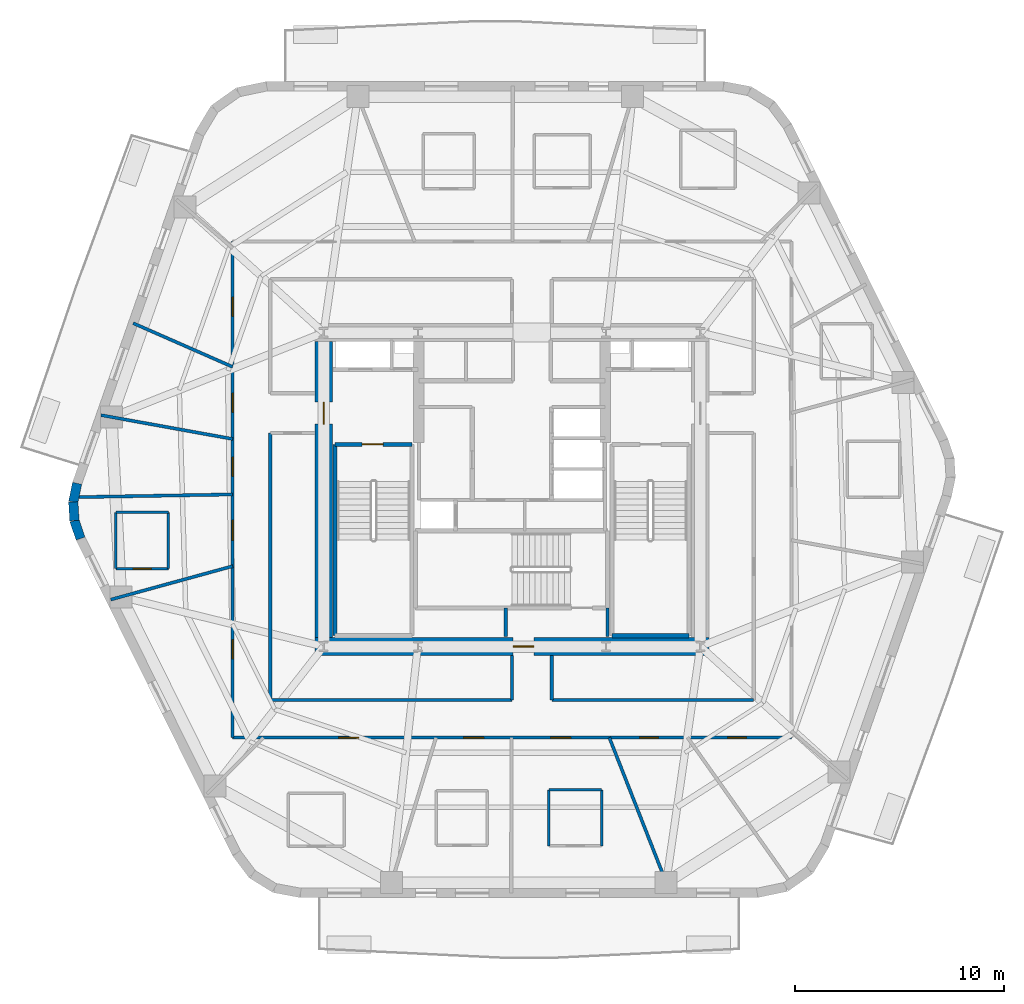
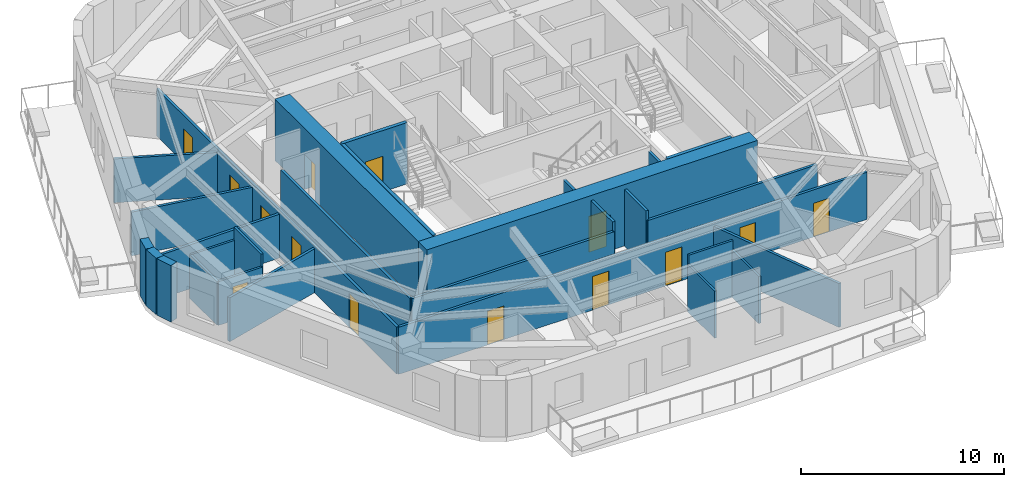
# One storey, part 3 of 11: 29 walls, 14 doors, 14 openings.
"""IFC4 building model written with IfcOpenShell, lengths in metres."""

from ifc_helpers import new_model, si_unit, direction, frame, frame_2d, origin, place, context, subcontext, project, spatial, rectangle, extrude, material, layer, layer_set, type_object, element, fill, save


model = new_model("IFC4")

# Units and contexts
model_context = context("Model", 3, precision=1e-05, world=origin(), true_north=direction((0.0, 1.0)))
body_context = subcontext(model_context, "Body", "Model", "MODEL_VIEW")
ifc_project = project(units=[si_unit("LENGTHUNIT", "METRE"), si_unit("AREAUNIT", "SQUARE_METRE"), si_unit("VOLUMEUNIT", "CUBIC_METRE"), si_unit("PLANEANGLEUNIT", "RADIAN"), si_unit("MASSUNIT", "GRAM", prefix="KILO")], contexts=[model_context])

# Site, building, storey
site_placement = place(None, origin())
site = spatial("IfcSite", under=ifc_project, at=site_placement, CompositionType="ELEMENT")
building_placement = place(site_placement, origin())
building = spatial("IfcBuilding", under=site, at=building_placement, Name="Kilnhurst Terrace Hotel", CompositionType="ELEMENT")
storey_placement = place(building_placement, frame((0.0, 0.0, 162.800048828125)))
storey = spatial("IfcBuildingStorey", under=building, at=storey_placement, Name="L40", CompositionType="ELEMENT", Elevation=162.800048828125)

# Walls
ifc_material_1 = material(Name="Precast concrete C40/50", Category="concrete")
ifc_layer_1 = layer(ifc_material_1, 0.449951171875, Name="Precast concrete C40/50")
ifc_layer_set_1 = layer_set([ifc_layer_1], Name="Precast concrete C40/50")
wall_type_1 = type_object("IfcWallType", Name="WL-BRK-450", PredefinedType="SOLIDWALL", material=ifc_layer_set_1)
wall_1_placement = place(storey_placement, frame((-20.78173828125, 0.298095703125, 0.0), z_axis=(0.0, 0.0, 1.0), x_axis=(-0.202570068411, -0.979267771033, 0.0)))
element("IfcWall", 1, at=wall_1_placement, inside=storey, type_object=wall_type_1, Name="L40 Rounded Corner Brick Wall C6.1", PredefinedType="SOLIDWALL", context=body_context, shape_type="SweptSolid", body=[
    extrude(rectangle(XDim=0.90869140625, YDim=0.449951171875, at=frame_2d((0.454345703125, 0.0))), origin(), (0.0, 0.0, 1.0), 3.39990234375),
])
wall_2_placement = place(storey_placement, frame((-20.9658203125, -0.591796875, 0.0), z_axis=(0.0, 0.0, 1.0), x_axis=(0.061748898935, -0.998091715966, 0.0)))
element("IfcWall", 2, at=wall_2_placement, inside=storey, type_object=wall_type_1, Name="L40 Rounded Corner Brick Wall C6.2", PredefinedType="SOLIDWALL", context=body_context, shape_type="SweptSolid", body=[
    extrude(rectangle(XDim=0.8935546875, YDim=0.449951171875, at=frame_2d((0.44677734375, 0.0))), origin(), (0.0, 0.0, 1.0), 3.39990234375),
])
wall_3_placement = place(storey_placement, frame((-20.91064453125, -1.483642578125, 0.0), z_axis=(0.0, 0.0, 1.0), x_axis=(0.321623334353, -0.946867694453, 0.0)))
element("IfcWall", 3, at=wall_3_placement, inside=storey, type_object=wall_type_1, Name="L40 Rounded Corner Brick Wall C6.3", PredefinedType="SOLIDWALL", context=body_context, shape_type="SweptSolid", body=[
    extrude(rectangle(XDim=0.90869140625, YDim=0.449951171875, at=frame_2d((0.454345703125, 0.0))), origin(), (0.0, 0.0, 1.0), 3.39990234375),
])

# Wall, openings, doors
ifc_material_2 = material(Name="Acoustic Double-Gypsum Corridor Partition Assembly")
ifc_layer_2 = layer(ifc_material_2, 0.14990234375, Name="Acoustic Double-Gypsum Corridor Partition Assembly")
ifc_layer_set_2 = layer_set([ifc_layer_2], Name="Acoustic Double-Gypsum Corridor Partition Assembly")
wall_type_2 = type_object("IfcWallType", Name="WL-COR-150", PredefinedType="PARTITIONING", material=ifc_layer_set_2)
wall_4_placement = place(storey_placement, frame((13.35009765625, -11.85009765625, 0.0), z_axis=(0.0, 0.0, 1.0), x_axis=(-1.0, 0.0, 0.0)))
wall_4 = element("IfcWall", 4, at=wall_4_placement, inside=storey, type_object=wall_type_2, Name="L40 Interior Wall WL-L40-COR-01", PredefinedType="PARTITIONING", context=body_context, shape_type="SweptSolid", body=[
    extrude(rectangle(XDim=26.7001953125, YDim=0.14990234375, at=frame_2d((13.35009765625, 0.0))), origin(), (0.0, 0.0, 1.0), 2.83984375),
])
opening_1_placement = place(wall_4_placement, frame((20.681884765625, 0.0, 0.0)))
opening_1 = element("IfcOpeningElement", 5, at=opening_1_placement, cuts=wall_4, Name="Opening D-60B", PredefinedType="OPENING", context=body_context, shape_type="SweptSolid", body=[
    extrude(rectangle(XDim=0.949951171875, YDim=2.030029296875, at=frame_2d((0.47509765625, 1.01513671875))), frame((0.0, 0.0849609375, 0.0), z_axis=(0.0, -1.0, 0.0), x_axis=(1.0, 0.0, 0.0)), (0.0, 0.0, 1.0), 0.169921875),
])
opening_2_placement = place(wall_4_placement, frame((14.7080078125, 0.0, 0.0)))
opening_2 = element("IfcOpeningElement", 6, at=opening_2_placement, cuts=wall_4, Name="Opening D-60B", PredefinedType="OPENING", context=body_context, shape_type="SweptSolid", body=[
    extrude(rectangle(XDim=0.949951171875, YDim=2.030029296875, at=frame_2d((0.47509765625, 1.01513671875))), frame((0.0, 0.0849609375, 0.0), z_axis=(0.0, -1.0, 0.0), x_axis=(1.0, 0.0, 0.0)), (0.0, 0.0, 1.0), 0.169921875),
])
opening_3_placement = place(wall_4_placement, frame((10.552978515625, 0.0, 0.0)))
opening_3 = element("IfcOpeningElement", 7, at=opening_3_placement, cuts=wall_4, Name="Opening D-60B", PredefinedType="OPENING", context=body_context, shape_type="SweptSolid", body=[
    extrude(rectangle(XDim=0.949951171875, YDim=2.030029296875, at=frame_2d((0.47509765625, 1.01513671875))), frame((0.0, 0.0849609375, 0.0), z_axis=(0.0, -1.0, 0.0), x_axis=(1.0, 0.0, 0.0)), (0.0, 0.0, 1.0), 0.169921875),
])
opening_4_placement = place(wall_4_placement, frame((6.35302734375, 0.0, 0.0)))
opening_4 = element("IfcOpeningElement", 8, at=opening_4_placement, cuts=wall_4, Name="Opening D-60C", PredefinedType="OPENING", context=body_context, shape_type="SweptSolid", body=[
    extrude(rectangle(XDim=0.89990234375, YDim=2.030029296875, at=frame_2d((0.449951171875, 1.01513671875))), frame((0.0, 0.0849609375, 0.0), z_axis=(0.0, -1.0, 0.0), x_axis=(1.0, 0.0, 0.0)), (0.0, 0.0, 1.0), 0.169921875),
])
opening_5_placement = place(wall_4_placement, frame((2.14990234375, 0.0, 0.0)))
opening_5 = element("IfcOpeningElement", 9, at=opening_5_placement, cuts=wall_4, Name="Opening D-60C", PredefinedType="OPENING", context=body_context, shape_type="SweptSolid", body=[
    extrude(rectangle(XDim=0.89990234375, YDim=2.030029296875, at=frame_2d((0.449951171875, 1.01513671875))), frame((0.0, 0.0849609375, 0.0), z_axis=(0.0, -1.0, 0.0), x_axis=(1.0, 0.0, 0.0)), (0.0, 0.0, 1.0), 0.169921875),
])
ifc_material_3 = material(Name="Painted Solid-Core Service Fire Door")
door_type_1 = type_object("IfcDoorType", Name="DR-FD60-900", OperationType="NOTDEFINED", PredefinedType="DOOR", material=ifc_material_3)
door_1_placement = place(opening_4_placement, origin())
door_1 = element("IfcDoor", 10, at=door_1_placement, inside=storey, type_object=door_type_1, Name="L40 Private Tasting Dining Room Door 15", OperationType="SINGLE_SWING_LEFT", OverallHeight=2.030029296875, OverallWidth=0.89990234375, PredefinedType="DOOR", context=body_context, shape_type="SweptSolid", body=[
    extrude(rectangle(XDim=0.89990234375, YDim=2.030029296875, at=frame_2d((0.449951171875, 1.01513671875))), frame((0.0, 0.02490234375, 0.0), z_axis=(0.0, -1.0, 0.0), x_axis=(1.0, 0.0, 0.0)), (0.0, 0.0, 1.0), 0.050048828125),
])
fill(opening_4, door_1)
door_2_placement = place(opening_5_placement, origin())
door_2 = element("IfcDoor", 11, at=door_2_placement, inside=storey, type_object=door_type_1, Name="L40 Private Study Salon Door 16", OperationType="SINGLE_SWING_RIGHT", OverallHeight=2.030029296875, OverallWidth=0.89990234375, PredefinedType="DOOR", context=body_context, shape_type="SweptSolid", body=[
    extrude(rectangle(XDim=0.89990234375, YDim=2.030029296875, at=frame_2d((0.449951171875, 1.01513671875))), frame((0.0, 0.02490234375, 0.0), z_axis=(0.0, -1.0, 0.0), x_axis=(1.0, 0.0, 0.0)), (0.0, 0.0, 1.0), 0.050048828125),
])
fill(opening_5, door_2)
ifc_material_4 = material(Name="Acoustic Walnut Veneer Solid-Core Fire Door")
door_type_2 = type_object("IfcDoorType", Name="DR-FD60-950", OperationType="NOTDEFINED", PredefinedType="DOOR", material=ifc_material_4)
door_3_placement = place(opening_1_placement, origin())
door_3 = element("IfcDoor", 12, at=door_3_placement, inside=storey, type_object=door_type_2, Name="L40 Guest Room Entry Door 12", OperationType="SINGLE_SWING_RIGHT", OverallHeight=2.030029296875, OverallWidth=0.949951171875, PredefinedType="DOOR", context=body_context, shape_type="SweptSolid", body=[
    extrude(rectangle(XDim=0.949951171875, YDim=2.030029296875, at=frame_2d((0.47509765625, 1.01513671875))), frame((0.0, 0.02490234375, 0.0), z_axis=(0.0, -1.0, 0.0), x_axis=(1.0, 0.0, 0.0)), (0.0, 0.0, 1.0), 0.050048828125),
])
fill(opening_1, door_3)
door_4_placement = place(opening_2_placement, origin())
door_4 = element("IfcDoor", 13, at=door_4_placement, inside=storey, type_object=door_type_2, Name="L40 Guest Room Entry Door 13", OperationType="SINGLE_SWING_LEFT", OverallHeight=2.030029296875, OverallWidth=0.949951171875, PredefinedType="DOOR", context=body_context, shape_type="SweptSolid", body=[
    extrude(rectangle(XDim=0.949951171875, YDim=2.030029296875, at=frame_2d((0.47509765625, 1.01513671875))), frame((0.0, 0.02490234375, 0.0), z_axis=(0.0, -1.0, 0.0), x_axis=(1.0, 0.0, 0.0)), (0.0, 0.0, 1.0), 0.050048828125),
])
fill(opening_2, door_4)
door_5_placement = place(opening_3_placement, origin())
door_5 = element("IfcDoor", 14, at=door_5_placement, inside=storey, type_object=door_type_2, Name="L40 Guest Room Entry Door 14", OperationType="SINGLE_SWING_RIGHT", OverallHeight=2.030029296875, OverallWidth=0.949951171875, PredefinedType="DOOR", context=body_context, shape_type="SweptSolid", body=[
    extrude(rectangle(XDim=0.949951171875, YDim=2.030029296875, at=frame_2d((0.47509765625, 1.01513671875))), frame((0.0, 0.02490234375, 0.0), z_axis=(0.0, -1.0, 0.0), x_axis=(1.0, 0.0, 0.0)), (0.0, 0.0, 1.0), 0.050048828125),
])
fill(opening_3, door_5)

wall_5_placement = place(storey_placement, frame((-13.35009765625, -11.85009765625, 0.0), z_axis=(0.0, 0.0, 1.0), x_axis=(0.0, 1.0, 0.0)))
wall_5 = element("IfcWall", 15, at=wall_5_placement, inside=storey, type_object=wall_type_2, Name="L40 Interior Wall WL-L40-COR-02", PredefinedType="PARTITIONING", context=body_context, shape_type="SweptSolid", body=[
    extrude(rectangle(XDim=23.7001953125, YDim=0.14990234375, at=frame_2d((11.85009765625, 0.0))), origin(), (0.0, 0.0, 1.0), 2.83984375),
])
opening_6_placement = place(wall_5_placement, frame((20.135986328125, 0.0, 0.0)))
opening_6 = element("IfcOpeningElement", 16, at=opening_6_placement, cuts=wall_5, Name="Opening D-60C", PredefinedType="OPENING", context=body_context, shape_type="SweptSolid", body=[
    extrude(rectangle(XDim=0.89990234375, YDim=2.030029296875, at=frame_2d((0.449951171875, 1.01513671875))), frame((0.0, 0.0849609375, 0.0), z_axis=(0.0, -1.0, 0.0), x_axis=(1.0, 0.0, 0.0)), (0.0, 0.0, 1.0), 0.169921875),
])
opening_7_placement = place(wall_5_placement, frame((15.551025390625, 0.0, 0.0)))
opening_7 = element("IfcOpeningElement", 17, at=opening_7_placement, cuts=wall_5, Name="Opening D-60C", PredefinedType="OPENING", context=body_context, shape_type="SweptSolid", body=[
    extrude(rectangle(XDim=0.89990234375, YDim=2.030029296875, at=frame_2d((0.449951171875, 1.01513671875))), frame((0.0, 0.0849609375, 0.0), z_axis=(0.0, -1.0, 0.0), x_axis=(1.0, 0.0, 0.0)), (0.0, 0.0, 1.0), 0.169921875),
])
opening_8_placement = place(wall_5_placement, frame((12.493896484375, 0.0, 0.0)))
opening_8 = element("IfcOpeningElement", 18, at=opening_8_placement, cuts=wall_5, Name="Opening D-60C", PredefinedType="OPENING", context=body_context, shape_type="SweptSolid", body=[
    extrude(rectangle(XDim=0.89990234375, YDim=2.030029296875, at=frame_2d((0.449951171875, 1.01513671875))), frame((0.0, 0.0849609375, 0.0), z_axis=(0.0, -1.0, 0.0), x_axis=(1.0, 0.0, 0.0)), (0.0, 0.0, 1.0), 0.169921875),
])
opening_9_placement = place(wall_5_placement, frame((9.424072265625, 0.0, 0.0)))
opening_9 = element("IfcOpeningElement", 19, at=opening_9_placement, cuts=wall_5, Name="Opening D-60B", PredefinedType="OPENING", context=body_context, shape_type="SweptSolid", body=[
    extrude(rectangle(XDim=0.949951171875, YDim=2.030029296875, at=frame_2d((0.47509765625, 1.01513671875))), frame((0.0, 0.0849609375, 0.0), z_axis=(0.0, -1.0, 0.0), x_axis=(1.0, 0.0, 0.0)), (0.0, 0.0, 1.0), 0.169921875),
])
opening_10_placement = place(wall_5_placement, frame((3.764892578125, 0.0, 0.0)))
opening_10 = element("IfcOpeningElement", 20, at=opening_10_placement, cuts=wall_5, Name="Opening D-60C", PredefinedType="OPENING", context=body_context, shape_type="SweptSolid", body=[
    extrude(rectangle(XDim=0.89990234375, YDim=2.030029296875, at=frame_2d((0.449951171875, 1.01513671875))), frame((0.0, 0.0849609375, 0.0), z_axis=(0.0, -1.0, 0.0), x_axis=(1.0, 0.0, 0.0)), (0.0, 0.0, 1.0), 0.169921875),
])
door_6_placement = place(opening_6_placement, origin())
door_6 = element("IfcDoor", 21, at=door_6_placement, inside=storey, type_object=door_type_1, Name="L40 Executive Work Office Door 7", OperationType="SINGLE_SWING_LEFT", OverallHeight=2.030029296875, OverallWidth=0.89990234375, PredefinedType="DOOR", context=body_context, shape_type="SweptSolid", body=[
    extrude(rectangle(XDim=0.89990234375, YDim=2.030029296875, at=frame_2d((0.449951171875, 1.01513671875))), frame((0.0, 0.02490234375, 0.0), z_axis=(0.0, -1.0, 0.0), x_axis=(1.0, 0.0, 0.0)), (0.0, 0.0, 1.0), 0.050048828125),
])
fill(opening_6, door_6)
door_7_placement = place(opening_7_placement, origin())
door_7 = element("IfcDoor", 22, at=door_7_placement, inside=storey, type_object=door_type_1, Name="L40 Botanical Reading Lounge Door 8", OperationType="SINGLE_SWING_RIGHT", OverallHeight=2.030029296875, OverallWidth=0.89990234375, PredefinedType="DOOR", context=body_context, shape_type="SweptSolid", body=[
    extrude(rectangle(XDim=0.89990234375, YDim=2.030029296875, at=frame_2d((0.449951171875, 1.01513671875))), frame((0.0, 0.02490234375, 0.0), z_axis=(0.0, -1.0, 0.0), x_axis=(1.0, 0.0, 0.0)), (0.0, 0.0, 1.0), 0.050048828125),
])
fill(opening_7, door_7)
door_8_placement = place(opening_8_placement, origin())
door_8 = element("IfcDoor", 23, at=door_8_placement, inside=storey, type_object=door_type_1, Name="L40 Private Meeting Salon Door 9", OperationType="SINGLE_SWING_LEFT", OverallHeight=2.030029296875, OverallWidth=0.89990234375, PredefinedType="DOOR", context=body_context, shape_type="SweptSolid", body=[
    extrude(rectangle(XDim=0.89990234375, YDim=2.030029296875, at=frame_2d((0.449951171875, 1.01513671875))), frame((0.0, 0.02490234375, 0.0), z_axis=(0.0, -1.0, 0.0), x_axis=(1.0, 0.0, 0.0)), (0.0, 0.0, 1.0), 0.050048828125),
])
fill(opening_8, door_8)
door_9_placement = place(opening_10_placement, origin())
door_9 = element("IfcDoor", 24, at=door_9_placement, inside=storey, type_object=door_type_1, Name="L40 Wellness Consultation Room Door 11", OperationType="SINGLE_SWING_LEFT", OverallHeight=2.030029296875, OverallWidth=0.89990234375, PredefinedType="DOOR", context=body_context, shape_type="SweptSolid", body=[
    extrude(rectangle(XDim=0.89990234375, YDim=2.030029296875, at=frame_2d((0.449951171875, 1.01513671875))), frame((0.0, 0.02490234375, 0.0), z_axis=(0.0, -1.0, 0.0), x_axis=(1.0, 0.0, 0.0)), (0.0, 0.0, 1.0), 0.050048828125),
])
fill(opening_10, door_9)
door_10_placement = place(opening_9_placement, origin())
door_10 = element("IfcDoor", 25, at=door_10_placement, inside=storey, type_object=door_type_2, Name="L40 Guest Room Entry Door 10", OperationType="SINGLE_SWING_RIGHT", OverallHeight=2.030029296875, OverallWidth=0.949951171875, PredefinedType="DOOR", context=body_context, shape_type="SweptSolid", body=[
    extrude(rectangle(XDim=0.949951171875, YDim=2.030029296875, at=frame_2d((0.47509765625, 1.01513671875))), frame((0.0, 0.02490234375, 0.0), z_axis=(0.0, -1.0, 0.0), x_axis=(1.0, 0.0, 0.0)), (0.0, 0.0, 1.0), 0.050048828125),
])
fill(opening_9, door_10)

# Walls
wall_6_placement = place(storey_placement, frame((-11.550048828125, 2.699951171875, 0.0), z_axis=(0.0, 0.0, 1.0), x_axis=(0.0, -1.0, 0.0)))
element("IfcWall", 26, at=wall_6_placement, inside=storey, type_object=wall_type_2, Name="L40 Interior Wall WL-L40-COR-16", PredefinedType="PARTITIONING", context=body_context, shape_type="SweptSolid", body=[
    extrude(rectangle(XDim=12.75, YDim=0.14990234375, at=frame_2d((6.375, 0.0))), origin(), (0.0, 0.0, 1.0), 2.83984375),
])
wall_7_placement = place(storey_placement, frame((-11.550048828125, -10.050048828125, 0.0), z_axis=(0.0, 0.0, 1.0), x_axis=(1.0, 0.0, 0.0)))
element("IfcWall", 27, at=wall_7_placement, inside=storey, type_object=wall_type_2, Name="L40 Interior Wall WL-L40-COR-17", PredefinedType="PARTITIONING", context=body_context, shape_type="SweptSolid", body=[
    extrude(rectangle(XDim=11.550048828125, YDim=0.14990234375, at=frame_2d((5.77490234375, 0.0))), origin(), (0.0, 0.0, 1.0), 2.83984375),
])
for number, where, z_axis, x_axis, name in (
    (28, (0.0, -10.050048828125, 0.0), (0.0, 0.0, 1.0), (0.0, 1.0, 0.0), "L40 Interior Wall WL-L40-COR-18"),
    (29, (1.89990234375, -7.925048828125, 0.0), (0.0, 0.0, 1.0), (0.0, -1.0, 0.0), "L40 Interior Wall WL-L40-COR-19"),
):
    element("IfcWall", number, at=place(storey_placement, frame(where, z_axis=z_axis, x_axis=x_axis)), inside=storey, type_object=wall_type_2, Name=name, PredefinedType="PARTITIONING", context=body_context, shape_type="SweptSolid", body=[
        extrude(rectangle(XDim=2.125, YDim=0.14990234375, at=frame_2d((1.0625, 0.0))), origin(), (0.0, 0.0, 1.0), 3.39990234375),
    ])
wall_8_placement = place(storey_placement, frame((1.89990234375, -10.050048828125, 0.0), z_axis=(0.0, 0.0, 1.0), x_axis=(1.0, 0.0, 0.0)))
element("IfcWall", 30, at=wall_8_placement, inside=storey, type_object=wall_type_2, Name="L40 Interior Wall WL-L40-COR-20", PredefinedType="PARTITIONING", context=body_context, shape_type="SweptSolid", body=[
    extrude(rectangle(XDim=9.650146484375, YDim=0.14990234375, at=frame_2d((4.8251953125, 0.0))), origin(), (0.0, 0.0, 1.0), 2.83984375),
])

# Wall, opening, door
ifc_material_5 = material(Name="Concrete C80/95", Category="concrete")
ifc_layer_3 = layer(ifc_material_5, 0.85009765625, Name="Concrete C80/95")
ifc_layer_set_3 = layer_set([ifc_layer_3], Name="Concrete C80/95")
wall_type_3 = type_object("IfcWallType", Name="WL-CORE-850", PredefinedType="SHEAR", material=ifc_layer_set_3)
wall_9_placement = place(storey_placement, frame((-9.425048828125, -7.5, 0.0), z_axis=(0.0, 0.0, 1.0), x_axis=(1.0, 0.0, 0.0)))
wall_9 = element("IfcWall", 31, at=wall_9_placement, inside=storey, type_object=wall_type_3, Name="L40 Core South Shear Wall", PredefinedType="SHEAR", context=body_context, shape_type="SweptSolid", body=[
    extrude(rectangle(XDim=18.85009765625, YDim=0.85009765625, at=frame_2d((9.425048828125, 0.0))), origin(), (0.0, 0.0, 1.0), 3.699951171875),
])
opening_11_placement = place(wall_9_placement, frame((9.47509765625, 0.0, 0.0)))
opening_11 = element("IfcOpeningElement", 32, at=opening_11_placement, cuts=wall_9, Name="Opening D-90B", PredefinedType="OPENING", context=body_context, shape_type="SweptSolid", body=[
    extrude(rectangle(XDim=1.0, YDim=2.14990234375, at=frame_2d((0.5, 1.074951171875))), frame((0.0, 0.43505859375, 0.0), z_axis=(0.0, -1.0, 0.0), x_axis=(1.0, 0.0, 0.0)), (0.0, 0.0, 1.0), 0.8701171875),
])
ifc_material_6 = material(Name="Painted Hollow Metal Steel ASTM A36 Fire Door", Category="steel")
door_type_3 = type_object("IfcDoorType", Name="DR-FD90-1000", OperationType="NOTDEFINED", PredefinedType="DOOR", material=ifc_material_6)
door_11_placement = place(opening_11_placement, origin())
door_11 = element("IfcDoor", 33, at=door_11_placement, inside=storey, type_object=door_type_3, Name="L40 Stair ST-3 Corridor Door", OperationType="SINGLE_SWING_RIGHT", OverallHeight=2.14990234375, OverallWidth=1.0, PredefinedType="DOOR", context=body_context, shape_type="SweptSolid", body=[
    extrude(rectangle(XDim=1.0, YDim=2.14990234375, at=frame_2d((0.5, 1.074951171875))), frame((0.0, 0.02490234375, 0.0), z_axis=(0.0, -1.0, 0.0), x_axis=(1.0, 0.0, 0.0)), (0.0, 0.0, 1.0), 0.050048828125),
])
fill(opening_11, door_11)

wall_10_placement = place(storey_placement, frame((-9.0, -7.074951171875, 0.0), z_axis=(0.0, 0.0, 1.0), x_axis=(0.0, 1.0, 0.0)))
wall_10 = element("IfcWall", 34, at=wall_10_placement, inside=storey, type_object=wall_type_3, Name="L40 Core West Shear Wall", PredefinedType="SHEAR", context=body_context, shape_type="SweptSolid", body=[
    extrude(rectangle(XDim=14.14990234375, YDim=0.85009765625, at=frame_2d((7.074951171875, 0.0))), origin(), (0.0, 0.0, 1.0), 3.699951171875),
])
opening_12_placement = place(wall_10_placement, frame((10.199951171875, 0.0, 0.0)))
opening_12 = element("IfcOpeningElement", 35, at=opening_12_placement, cuts=wall_10, Name="Opening D-90A", PredefinedType="OPENING", context=body_context, shape_type="SweptSolid", body=[
    extrude(rectangle(XDim=1.050048828125, YDim=2.14990234375, at=frame_2d((0.52490234375, 1.074951171875))), frame((0.0, 0.43505859375, 0.0), z_axis=(0.0, -1.0, 0.0), x_axis=(1.0, 0.0, 0.0)), (0.0, 0.0, 1.0), 0.8701171875),
])
door_type_4 = type_object("IfcDoorType", Name="DR-FD90-1050", OperationType="NOTDEFINED", PredefinedType="DOOR", material=ifc_material_6)
door_12_placement = place(opening_12_placement, origin())
door_12 = element("IfcDoor", 36, at=door_12_placement, inside=storey, type_object=door_type_4, Name="L40 West Firefighting Lobby Door", OperationType="SINGLE_SWING_RIGHT", OverallHeight=2.14990234375, OverallWidth=1.050048828125, PredefinedType="DOOR", context=body_context, shape_type="SweptSolid", body=[
    extrude(rectangle(XDim=1.050048828125, YDim=2.14990234375, at=frame_2d((0.52490234375, 1.074951171875))), frame((0.0, 0.02490234375, 0.0), z_axis=(0.0, -1.0, 0.0), x_axis=(1.0, 0.0, 0.0)), (0.0, 0.0, 1.0), 0.050048828125),
])
fill(opening_12, door_12)

# Walls
ifc_material_7 = material(Name="STC-58 Acoustic Twin-Frame Guestroom Demising Partition")
ifc_layer_4 = layer(ifc_material_7, 0.14990234375, Name="STC-58 Acoustic Twin-Frame Guestroom Demising Partition")
ifc_layer_set_4 = layer_set([ifc_layer_4], Name="STC-58 Acoustic Twin-Frame Guestroom Demising Partition")
wall_type_4 = type_object("IfcWallType", Name="WL-DEM-150", PredefinedType="PARTITIONING", material=ifc_layer_set_4)
wall_11_placement = place(storey_placement, frame((-13.35009765625, 5.86279296875, 0.0), z_axis=(0.0, 0.0, 1.0), x_axis=(-0.9155832175, 0.402128551376, 0.0)))
element("IfcWall", 37, at=wall_11_placement, inside=storey, type_object=wall_type_4, Name="L40 Interior Wall WL-L40-DEM-MID05-08-1", PredefinedType="PARTITIONING", context=body_context, shape_type="SweptSolid", body=[
    extrude(rectangle(XDim=5.19091796875, YDim=0.14990234375, at=frame_2d((2.595458984375, 0.0))), origin(), (0.0, 0.0, 1.0), 2.639892578125),
])
wall_12_placement = place(storey_placement, frame((-13.35009765625, 2.417236328125, 0.0), z_axis=(0.0, 0.0, 1.0), x_axis=(-0.98399796473, 0.178179699761, 0.0)))
element("IfcWall", 38, at=wall_12_placement, inside=storey, type_object=wall_type_4, Name="L40 Interior Wall WL-L40-DEM-COL06-09-1", PredefinedType="PARTITIONING", context=body_context, shape_type="SweptSolid", body=[
    extrude(rectangle(XDim=6.393310546875, YDim=0.14990234375, at=frame_2d((3.19677734375, 0.0))), origin(), (0.0, 0.0, 1.0), 2.639892578125),
])
wall_13_placement = place(storey_placement, frame((-13.35009765625, -0.23291015625, 0.0), z_axis=(0.0, 0.0, 1.0), x_axis=(-0.999847932133, -0.017438824797, 0.0)))
element("IfcWall", 39, at=wall_13_placement, inside=storey, type_object=wall_type_4, Name="L40 Interior Wall WL-L40-DEM-MID06-10-1", PredefinedType="PARTITIONING", context=body_context, shape_type="SweptSolid", body=[
    extrude(rectangle(XDim=7.406005859375, YDim=0.14990234375, at=frame_2d((3.703125, 0.0))), origin(), (0.0, 0.0, 1.0), 2.639892578125),
])
wall_14_placement = place(storey_placement, frame((-13.35009765625, -3.66064453125, 0.0), z_axis=(0.0, 0.0, 1.0), x_axis=(-0.964397145454, -0.264458211898, 0.0)))
element("IfcWall", 40, at=wall_14_placement, inside=storey, type_object=wall_type_4, Name="L40 Interior Wall WL-L40-DEM-COL07-11-1", PredefinedType="PARTITIONING", context=body_context, shape_type="SweptSolid", body=[
    extrude(rectangle(XDim=6.03857421875, YDim=0.14990234375, at=frame_2d((3.019287109375, 0.0))), origin(), (0.0, 0.0, 1.0), 2.639892578125),
])
wall_15_placement = place(storey_placement, frame((4.64990234375, -11.85009765625, 0.0), z_axis=(0.0, 0.0, 1.0), x_axis=(0.365265947993, -0.930903210456, 0.0)))
element("IfcWall", 41, at=wall_15_placement, inside=storey, type_object=wall_type_4, Name="L40 Interior Wall WL-L40-DEM-COL10-15-1", PredefinedType="PARTITIONING", context=body_context, shape_type="SweptSolid", body=[
    extrude(rectangle(XDim=7.975830078125, YDim=0.14990234375, at=frame_2d((3.98779296875, 0.0))), origin(), (0.0, 0.0, 1.0), 2.639892578125),
])

# Wall, opening, door
ifc_material_8 = material(Name="120 mm Moisture-Resistant Tile-Backed Bathroom Partition")
ifc_layer_5 = layer(ifc_material_8, 0.1201171875, Name="120 mm Moisture-Resistant Tile-Backed Bathroom Partition")
ifc_layer_set_5 = layer_set([ifc_layer_5], Name="120 mm Moisture-Resistant Tile-Backed Bathroom Partition")
wall_type_5 = type_object("IfcWallType", Name="WL-PART-120", PredefinedType="PARTITIONING", material=ifc_layer_set_5)
wall_16_placement = place(storey_placement, frame((-18.93603515625, -3.77392578125, 0.0), z_axis=(0.0, 0.0, 1.0), x_axis=(1.0, 0.0, 0.0)))
wall_16 = element("IfcWall", 42, at=wall_16_placement, inside=storey, type_object=wall_type_5, Name="L40 Interior Wall WL-L40-BTH-10-1", PredefinedType="PARTITIONING", context=body_context, shape_type="SweptSolid", body=[
    extrude(rectangle(XDim=2.52001953125, YDim=0.1201171875, at=frame_2d((1.260009765625, 0.0))), origin(), (0.0, 0.0, 1.0), 2.639892578125),
])
opening_13_placement = place(wall_16_placement, frame((0.8349609375, 0.0, 0.0)))
opening_13 = element("IfcOpeningElement", 43, at=opening_13_placement, cuts=wall_16, Name="Opening D-08A", PredefinedType="OPENING", context=body_context, shape_type="SweptSolid", body=[
    extrude(rectangle(XDim=0.85009765625, YDim=2.030029296875, at=frame_2d((0.425048828125, 1.01513671875))), frame((0.0, 0.070068359375, 0.0), z_axis=(0.0, -1.0, 0.0), x_axis=(1.0, 0.0, 0.0)), (0.0, 0.0, 1.0), 0.14013671875),
])
ifc_material_9 = material(Name="Moisture-Resistant Lacquered En-suite Bathroom Door")
door_type_5 = type_object("IfcDoorType", Name="DR-INT-850", OperationType="NOTDEFINED", PredefinedType="DOOR", material=ifc_material_9)
door_13_placement = place(opening_13_placement, origin())
door_13 = element("IfcDoor", 44, at=door_13_placement, inside=storey, type_object=door_type_5, Name="L40 En-suite Bathroom Door 10", OperationType="SINGLE_SWING_RIGHT", OverallHeight=2.030029296875, OverallWidth=0.85009765625, PredefinedType="DOOR", context=body_context, shape_type="SweptSolid", body=[
    extrude(rectangle(XDim=0.85009765625, YDim=2.030029296875, at=frame_2d((0.425048828125, 1.01513671875))), frame((0.0, 0.02490234375, 0.0), z_axis=(0.0, -1.0, 0.0), x_axis=(1.0, 0.0, 0.0)), (0.0, 0.0, 1.0), 0.050048828125),
])
fill(opening_13, door_13)

# Walls
wall_17_placement = place(storey_placement, frame((-16.416015625, -3.77392578125, 0.0), z_axis=(0.0, 0.0, 1.0), x_axis=(0.0, 1.0, 0.0)))
element("IfcWall", 45, at=wall_17_placement, inside=storey, type_object=wall_type_5, Name="L40 Interior Wall WL-L40-BTH-10-2", PredefinedType="PARTITIONING", context=body_context, shape_type="SweptSolid", body=[
    extrude(rectangle(XDim=2.679931640625, YDim=0.1201171875, at=frame_2d((1.33984375, 0.0))), origin(), (0.0, 0.0, 1.0), 3.39990234375),
])
wall_18_placement = place(storey_placement, frame((-16.416015625, -1.093994140625, 0.0), z_axis=(0.0, 0.0, 1.0), x_axis=(-1.0, 0.0, 0.0)))
element("IfcWall", 46, at=wall_18_placement, inside=storey, type_object=wall_type_5, Name="L40 Interior Wall WL-L40-BTH-10-3", PredefinedType="PARTITIONING", context=body_context, shape_type="SweptSolid", body=[
    extrude(rectangle(XDim=2.52001953125, YDim=0.1201171875, at=frame_2d((1.260009765625, 0.0))), origin(), (0.0, 0.0, 1.0), 2.639892578125),
])
wall_19_placement = place(storey_placement, frame((-18.93603515625, -1.093994140625, 0.0), z_axis=(0.0, 0.0, 1.0), x_axis=(0.0, -1.0, 0.0)))
element("IfcWall", 47, at=wall_19_placement, inside=storey, type_object=wall_type_5, Name="L40 Interior Wall WL-L40-BTH-10-4", PredefinedType="PARTITIONING", context=body_context, shape_type="SweptSolid", body=[
    extrude(rectangle(XDim=2.679931640625, YDim=0.1201171875, at=frame_2d((1.33984375, 0.0))), origin(), (0.0, 0.0, 1.0), 2.639892578125),
])
wall_20_placement = place(storey_placement, frame((4.282958984375, -17.028076171875, 0.0), z_axis=(0.0, 0.0, 1.0), x_axis=(0.0, 1.0, 0.0)))
element("IfcWall", 48, at=wall_20_placement, inside=storey, type_object=wall_type_5, Name="L40 Interior Wall WL-L40-BTH-14-2", PredefinedType="PARTITIONING", context=body_context, shape_type="SweptSolid", body=[
    extrude(rectangle(XDim=2.68017578125, YDim=0.1201171875, at=frame_2d((1.340087890625, 0.0))), origin(), (0.0, 0.0, 1.0), 2.84033203125),
])
wall_21_placement = place(storey_placement, frame((4.282958984375, -14.347900390625, 0.0), z_axis=(0.0, 0.0, 1.0), x_axis=(-1.0, 0.0, 0.0)))
element("IfcWall", 49, at=wall_21_placement, inside=storey, type_object=wall_type_5, Name="L40 Interior Wall WL-L40-BTH-14-3", PredefinedType="PARTITIONING", context=body_context, shape_type="SweptSolid", body=[
    extrude(rectangle(XDim=2.52001953125, YDim=0.1201171875, at=frame_2d((1.260009765625, 0.0))), origin(), (0.0, 0.0, 1.0), 3.39990234375),
])
wall_22_placement = place(storey_placement, frame((1.762939453125, -14.347900390625, 0.0), z_axis=(0.0, 0.0, 1.0), x_axis=(0.0, -1.0, 0.0)))
element("IfcWall", 50, at=wall_22_placement, inside=storey, type_object=wall_type_5, Name="L40 Interior Wall WL-L40-BTH-14-4", PredefinedType="PARTITIONING", context=body_context, shape_type="SweptSolid", body=[
    extrude(rectangle(XDim=2.68017578125, YDim=0.1201171875, at=frame_2d((1.340087890625, 0.0))), origin(), (0.0, 0.0, 1.0), 2.84033203125),
])
ifc_material_10 = material(Name="Fire-Rated Gypsum Shaftliner Assembly")
ifc_layer_6 = layer(ifc_material_10, 0.14990234375, Name="Fire-Rated Gypsum Shaftliner Assembly")
ifc_layer_set_6 = layer_set([ifc_layer_6], Name="Fire-Rated Gypsum Shaftliner Assembly")
wall_type_6 = type_object("IfcWallType", Name="WL-SHAFT-150", PredefinedType="PARTITIONING", material=ifc_layer_set_6)
for number, where, z_axis, x_axis, name in (
    (51, (-0.300048828125, -7.02001953125, 0.0), (0.0, 0.0, 1.0), (0.0, 1.0, 0.0), "L40 Interior Wall WL-L40-ST3-PSGW"),
    (52, (4.55810546875, -7.02001953125, 0.0), (0.0, 0.0, 1.0), (0.0, 1.0, 0.0), "L40 Interior Wall WL-L40-ST3-PSGE"),
):
    element("IfcWall", number, at=place(storey_placement, frame(where, z_axis=z_axis, x_axis=x_axis)), inside=storey, type_object=wall_type_6, Name=name, PredefinedType="PARTITIONING", context=body_context, shape_type="SweptSolid", body=[
        extrude(rectangle(XDim=1.362060546875, YDim=0.14990234375, at=frame_2d((0.68115234375, 0.0))), origin(), (0.0, 0.0, 1.0), 3.39990234375),
    ])
ifc_material_11 = material(Name="Concrete C50/60", Category="concrete")
ifc_layer_7 = layer(ifc_material_11, 0.199951171875, Name="Concrete C50/60")
ifc_layer_set_7 = layer_set([ifc_layer_7], Name="Concrete C50/60")
wall_type_7 = type_object("IfcWallType", Name="WL-STAIR-RC-200", PredefinedType="SHEAR", material=ifc_layer_set_7)
wall_23_placement = place(storey_placement, frame((-8.4580078125, -6.985107421875, 0.0), z_axis=(0.0, 0.0, 1.0), x_axis=(0.0, 1.0, 0.0)))
element("IfcWall", 53, at=wall_23_placement, inside=storey, type_object=wall_type_7, Name="L40 Structural Stair Shaft Wall WL-L40-ST1-W", PredefinedType="SHEAR", context=body_context, shape_type="SweptSolid", body=[
    extrude(rectangle(XDim=9.14306640625, YDim=0.199951171875, at=frame_2d((4.571533203125, 0.0))), origin(), (0.0, 0.0, 1.0), 3.699951171875),
])

# Wall, opening, door
wall_24_placement = place(storey_placement, frame((-8.4580078125, 2.157958984375, 0.0), z_axis=(0.0, 0.0, 1.0), x_axis=(1.0, 0.0, 0.0)))
wall_24 = element("IfcWall", 54, at=wall_24_placement, inside=storey, type_object=wall_type_7, Name="L40 Structural Stair Shaft Wall WL-L40-ST1-N", PredefinedType="SHEAR", context=body_context, shape_type="SweptSolid", body=[
    extrude(rectangle(XDim=3.68603515625, YDim=0.199951171875, at=frame_2d((1.843017578125, 0.0))), origin(), (0.0, 0.0, 1.0), 3.699951171875),
])
opening_14_placement = place(wall_24_placement, frame((1.300048828125, 0.0, 0.0)))
opening_14 = element("IfcOpeningElement", 55, at=opening_14_placement, cuts=wall_24, Name="Opening D-90B", PredefinedType="OPENING", context=body_context, shape_type="SweptSolid", body=[
    extrude(rectangle(XDim=1.0, YDim=2.14990234375, at=frame_2d((0.5, 1.074951171875))), frame((0.0, 0.10986328125, 0.0), z_axis=(0.0, -1.0, 0.0), x_axis=(1.0, 0.0, 0.0)), (0.0, 0.0, 1.0), 0.219970703125),
])
door_14_placement = place(opening_14_placement, origin())
door_14 = element("IfcDoor", 56, at=door_14_placement, inside=storey, type_object=door_type_3, Name="L40 Stair ST-1 Door", OperationType="SINGLE_SWING_LEFT", OverallHeight=2.14990234375, OverallWidth=1.0, PredefinedType="DOOR", context=body_context, shape_type="SweptSolid", body=[
    extrude(rectangle(XDim=1.0, YDim=2.14990234375, at=frame_2d((0.5, 1.074951171875))), frame((0.0, 0.02490234375, 0.0), z_axis=(0.0, -1.0, 0.0), x_axis=(1.0, 0.0, 0.0)), (0.0, 0.0, 1.0), 0.050048828125),
])
fill(opening_14, door_14)

# Wall
wall_25_placement = place(storey_placement, frame((4.77197265625, -6.985107421875, 0.0), z_axis=(0.0, 0.0, 1.0), x_axis=(1.0, 0.0, 0.0)))
element("IfcWall", 57, at=wall_25_placement, inside=storey, type_object=wall_type_7, Name="L40 Structural Stair Shaft Wall WL-L40-ST2-S", PredefinedType="SHEAR", context=body_context, shape_type="SweptSolid", body=[
    extrude(rectangle(XDim=3.68603515625, YDim=0.199951171875, at=frame_2d((1.843017578125, 0.0))), origin(), (0.0, 0.0, 1.0), 3.699951171875),
])

save(model, "model.ifc")
